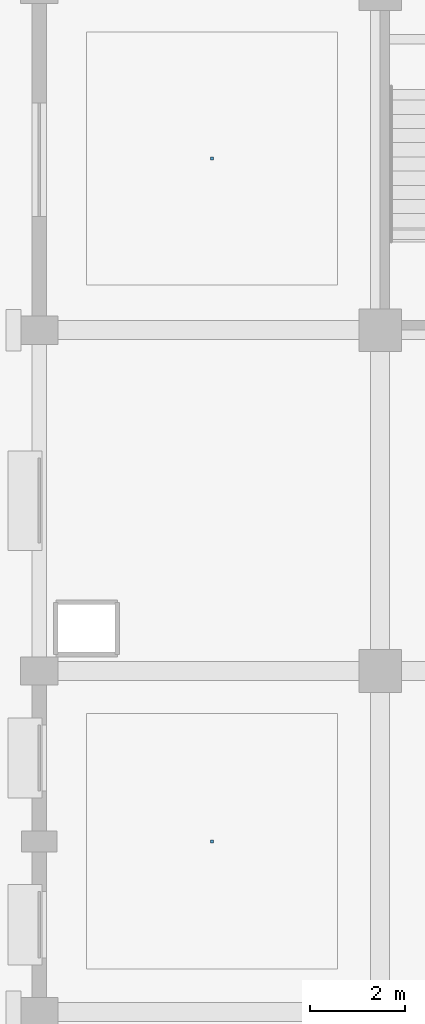
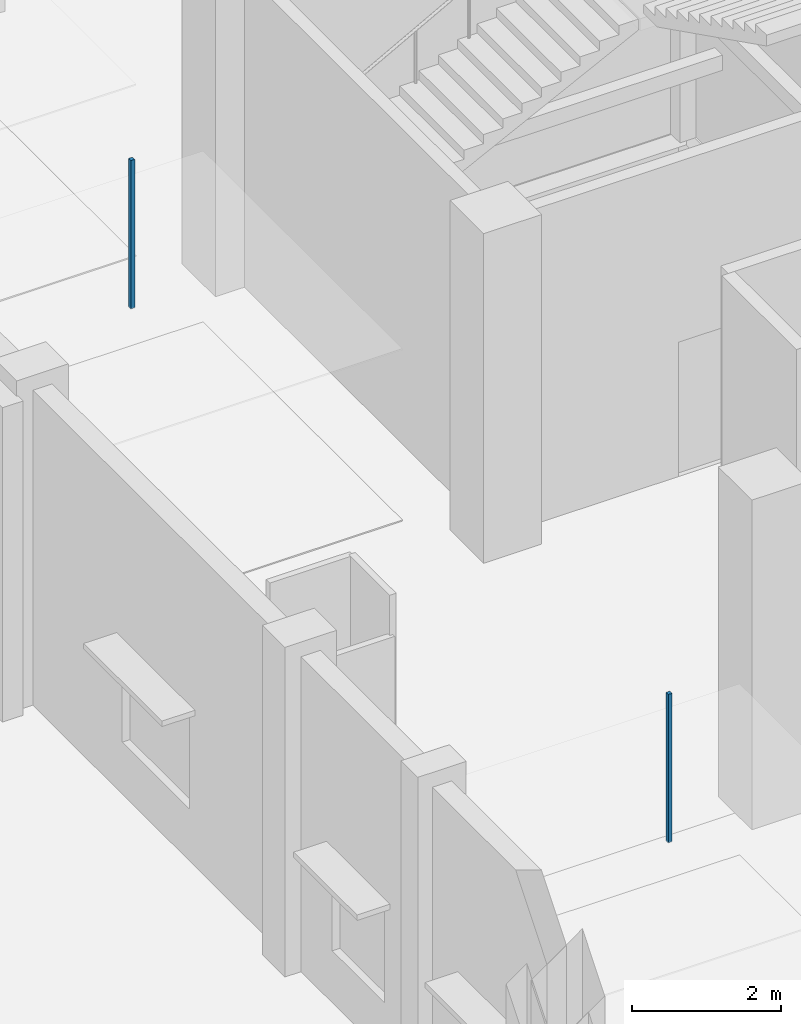
# One storey, part 73 of 90: 2 discrete accessories.
"""IFC4 building model written with IfcOpenShell, lengths in metres."""

from ifc_helpers import new_model, si_unit, direction, frame, origin, origin_2d, place, context, subcontext, project, spatial, rectangle, extrude, material, type_object, element, save


model = new_model("IFC4")

# Units and contexts
model_context = context("Model", 3, precision=1e-05, world=origin(), true_north=direction((0.0, 1.0)))
body_context = subcontext(model_context, "Body", "Model", "MODEL_VIEW")
ifc_project = project(units=[si_unit("LENGTHUNIT", "METRE"), si_unit("AREAUNIT", "SQUARE_METRE"), si_unit("VOLUMEUNIT", "CUBIC_METRE"), si_unit("PLANEANGLEUNIT", "RADIAN"), si_unit("MASSUNIT", "GRAM", prefix="KILO")], contexts=[model_context])

# Site, building, storey
site_placement = place(None, origin())
site = spatial("IfcSite", under=ifc_project, at=site_placement, CompositionType="ELEMENT")
building_placement = place(site_placement, origin())
building = spatial("IfcBuilding", under=site, at=building_placement, Name="Kangsadwip Square Police Headquarters", CompositionType="ELEMENT")
storey_placement = place(building_placement, origin())
storey = spatial("IfcBuildingStorey", under=building, at=storey_placement, Name="L00", CompositionType="ELEMENT", Elevation=0.0)

# Discrete accessories
ifc_material = material(Name="Structural steel IS 2062 E350 (Grade 350, 350 MPa)", Category="steel")
discrete_accessory_type = type_object("IfcDiscreteAccessoryType", Name="VeilOutriggerBracket", PredefinedType="BRACKET", material=ifc_material)
for number, where, z_axis, x_axis, name in (
    (1, (3.64990234375, 61.199951171875, 2.81005859375), (0.0, 0.0, 1.0), (1.0, 0.0, 0.0), "Ceiling Suspension Hanger L00-015"),
    (2, (3.64990234375, 75.625, 2.81005859375), (0.0, 0.0, 1.0), (1.0, 0.0, 0.0), "Ceiling Suspension Hanger L00-016"),
):
    element("IfcDiscreteAccessory", number, at=place(storey_placement, frame(where, z_axis=z_axis, x_axis=x_axis)), inside=storey, type_object=discrete_accessory_type, Name=name, PredefinedType="BRACKET", context=body_context, shape_type="SweptSolid", body=[
        extrude(rectangle(XDim=0.06005859375, YDim=0.06005859375, at=origin_2d()), origin(), (0.0, 0.0, 1.0), 2.429931640625),
    ])

save(model, "model.ifc")
